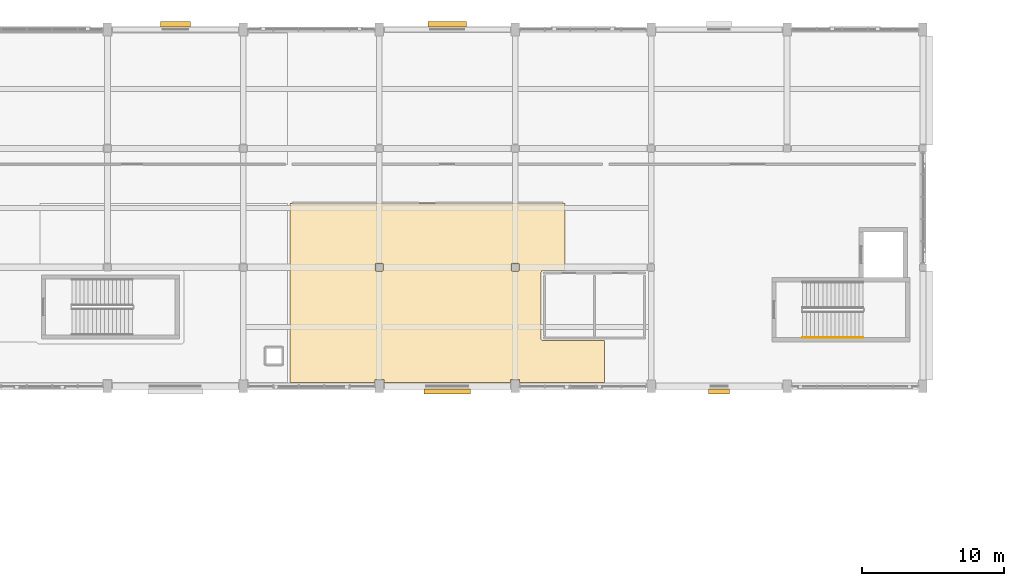
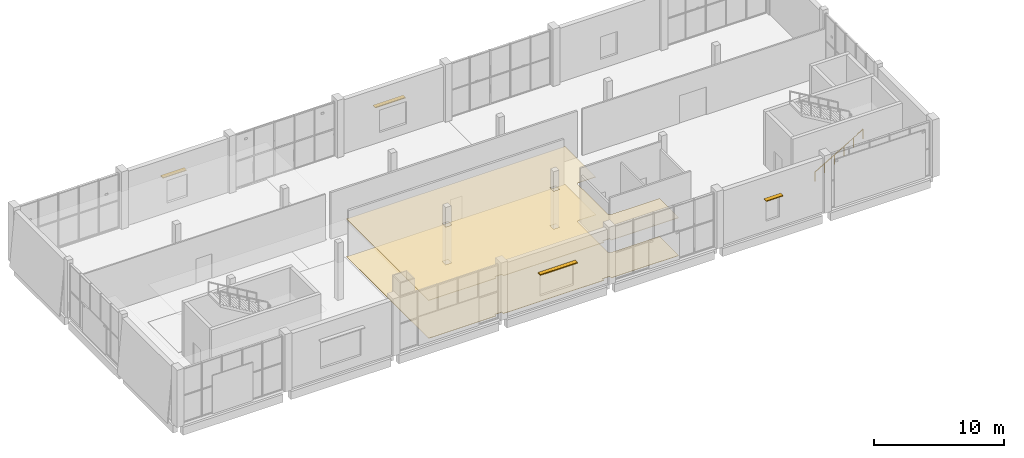
# One storey, part 77 of 83: 4 shading devices, 2 coverings, 1 railing.
"""IFC4 building model written with IfcOpenShell, lengths in metres."""

from ifc_helpers import new_model, si_unit, direction, frame, origin, origin_2d, place, context, subcontext, project, spatial, polyline, rectangle, circle, outline, extrude, material, layer, layer_set, type_object, element, save


model = new_model("IFC4")

# Units and contexts
model_context = context("Model", 3, precision=1e-05, world=origin(), true_north=direction((0.0, 1.0)))
body_context = subcontext(model_context, "Body", "Model", "MODEL_VIEW")
ifc_project = project(units=[si_unit("LENGTHUNIT", "METRE"), si_unit("AREAUNIT", "SQUARE_METRE"), si_unit("VOLUMEUNIT", "CUBIC_METRE"), si_unit("PLANEANGLEUNIT", "RADIAN"), si_unit("MASSUNIT", "GRAM", prefix="KILO")], contexts=[model_context])

# Site, building, storey
site_placement = place(None, origin())
site = spatial("IfcSite", under=ifc_project, at=site_placement, CompositionType="ELEMENT")
building_placement = place(site_placement, origin())
building = spatial("IfcBuilding", under=site, at=building_placement, Name="Shalvenor Court Art Gallery", CompositionType="ELEMENT")
storey_placement = place(building_placement, frame((0.0, 0.0, 6.0)))
storey = spatial("IfcBuildingStorey", under=building, at=storey_placement, Name="L01", CompositionType="ELEMENT", Elevation=6.0)

# Coverings
ifc_material_1 = material(Name="Perforated acoustic gypsum gallery ceiling", Category="other")
ifc_layer_1 = layer(ifc_material_1, 0.044921875, Name="Perforated acoustic gypsum gallery ceiling")
ifc_layer_set_1 = layer_set([ifc_layer_1], Name="Perforated acoustic gypsum gallery ceiling")
covering_type_1 = type_object("IfcCoveringType", Name="CLG-01", PredefinedType="CEILING", material=ifc_layer_set_1)
covering_1_placement = place(storey_placement, frame((0.0, 0.0, 3.550048828125)))
element("IfcCovering", 1, at=covering_1_placement, inside=storey, type_object=covering_type_1, Name="L01 Contemporary Canvas Gallery Acoustic Ceiling", PredefinedType="CEILING", context=body_context, shape_type="SweptSolid", body=[
    extrude(outline(polyline([(80.080078125, 110.1201171875), (99.52001953125, 110.1201171875), (99.52001953125, 105.3798828125), (98.0, 105.3798828125), (97.982421875, 105.379150390625), (97.96484375, 105.37646484375), (97.94775390625, 105.372314453125), (97.93115234375, 105.3662109375), (97.9150390625, 105.358642578125), (97.89990234375, 105.349609375), (97.8857421875, 105.339111328125), (97.872802734375, 105.327392578125), (97.86083984375, 105.314208984375), (97.850341796875, 105.300048828125), (97.84130859375, 105.284912109375), (97.833740234375, 105.268798828125), (97.827880859375, 105.252197265625), (97.823486328125, 105.235107421875), (97.82080078125, 105.217529296875), (97.820068359375, 105.199951171875), (97.820068359375, 100.60009765625), (97.82080078125, 100.58251953125), (97.823486328125, 100.56494140625), (97.827880859375, 100.547607421875), (97.833740234375, 100.531005859375), (97.84130859375, 100.51513671875), (97.850341796875, 100.5), (97.86083984375, 100.48583984375), (97.872802734375, 100.47265625), (97.8857421875, 100.4609375), (97.89990234375, 100.4501953125), (97.9150390625, 100.44140625), (97.93115234375, 100.43359375), (97.94775390625, 100.427734375), (97.96484375, 100.423583984375), (97.982421875, 100.4208984375), (98.0, 100.419921875), (102.320068359375, 100.419921875), (102.320068359375, 97.449951171875), (96.320068359375, 97.449951171875), (96.320068359375, 97.669921875), (95.679931640625, 97.669921875), (95.679931640625, 97.449951171875), (86.719970703125, 97.449951171875), (86.719970703125, 97.669921875), (86.080078125, 97.669921875), (86.080078125, 97.449951171875), (80.080078125, 97.449951171875), (80.080078125, 110.1201171875)]), holes=[polyline([(86.1298828125, 105.8701171875), (86.1298828125, 105.330078125), (86.669921875, 105.330078125), (86.669921875, 105.8701171875), (86.1298828125, 105.8701171875)]), polyline([(96.27001953125, 105.8701171875), (95.72998046875, 105.8701171875), (95.72998046875, 105.330078125), (96.27001953125, 105.330078125), (96.27001953125, 105.8701171875)])]), origin(), (0.0, 0.0, 1.0), 0.044921875),
])
ifc_material_2 = material(Name="Quarter-sawn white oak gallery flooring", Category="wood")
ifc_layer_2 = layer(ifc_material_2, 0.031982421875, Name="Quarter-sawn white oak gallery flooring")
ifc_layer_set_2 = layer_set([ifc_layer_2], Name="Quarter-sawn white oak gallery flooring")
covering_type_2 = type_object("IfcCoveringType", Name="FLR-02", PredefinedType="FLOORING", material=ifc_layer_set_2)
covering_2_placement = place(storey_placement, origin())
element("IfcCovering", 2, at=covering_2_placement, inside=storey, type_object=covering_type_2, Name="L01 Contemporary Canvas Gallery Flooring", PredefinedType="FLOORING", context=body_context, shape_type="SweptSolid", body=[
    extrude(outline(polyline([(80.080078125, 110.1201171875), (99.52001953125, 110.1201171875), (99.52001953125, 105.3798828125), (98.0, 105.3798828125), (97.982421875, 105.379150390625), (97.96484375, 105.37646484375), (97.94775390625, 105.372314453125), (97.93115234375, 105.3662109375), (97.9150390625, 105.358642578125), (97.89990234375, 105.349609375), (97.8857421875, 105.339111328125), (97.872802734375, 105.327392578125), (97.86083984375, 105.314208984375), (97.850341796875, 105.300048828125), (97.84130859375, 105.284912109375), (97.833740234375, 105.268798828125), (97.827880859375, 105.252197265625), (97.823486328125, 105.235107421875), (97.82080078125, 105.217529296875), (97.820068359375, 105.199951171875), (97.820068359375, 100.60009765625), (97.82080078125, 100.58251953125), (97.823486328125, 100.56494140625), (97.827880859375, 100.547607421875), (97.833740234375, 100.531005859375), (97.84130859375, 100.51513671875), (97.850341796875, 100.5), (97.86083984375, 100.48583984375), (97.872802734375, 100.47265625), (97.8857421875, 100.4609375), (97.89990234375, 100.4501953125), (97.9150390625, 100.44140625), (97.93115234375, 100.43359375), (97.94775390625, 100.427734375), (97.96484375, 100.423583984375), (97.982421875, 100.4208984375), (98.0, 100.419921875), (102.320068359375, 100.419921875), (102.320068359375, 97.449951171875), (96.320068359375, 97.449951171875), (96.320068359375, 97.669921875), (95.679931640625, 97.669921875), (95.679931640625, 97.449951171875), (86.719970703125, 97.449951171875), (86.719970703125, 97.669921875), (86.080078125, 97.669921875), (86.080078125, 97.449951171875), (80.080078125, 97.449951171875), (80.080078125, 110.1201171875)]), holes=[polyline([(86.1298828125, 105.8701171875), (86.1298828125, 105.330078125), (86.669921875, 105.330078125), (86.669921875, 105.8701171875), (86.1298828125, 105.8701171875)]), polyline([(96.27001953125, 105.8701171875), (95.72998046875, 105.8701171875), (95.72998046875, 105.330078125), (96.27001953125, 105.330078125), (96.27001953125, 105.8701171875)])]), origin(), (0.0, 0.0, 1.0), 0.031982421875),
])

# Railing
ifc_material_3 = material(Name="Brushed stainless steel handrail", Category="steel")
railing_type = type_object("IfcRailingType", Name="HR-01", PredefinedType="HANDRAIL", material=ifc_material_3)
railing_placement = place(storey_placement, frame((116.300048828125, 100.64990234375, 0.168701171875)))
element("IfcRailing", 3, at=railing_placement, inside=storey, type_object=railing_type, Name="L01 ST-05 Stair Handrail 1", PredefinedType="HANDRAIL", context=body_context, shape_type="SweptSolid", body=[
    extrude(circle(Radius=0.02392578125, at=origin_2d()), frame((0.0, 0.0, 0.8759765625), z_axis=(0.860470286479, 0.0, 0.509500624227), x_axis=(0.0, 1.0, 0.0)), (0.0, 0.0, 1.0), 4.968017578125),
    extrude(circle(Radius=0.02099609375, at=origin_2d()), origin(), (0.0, 0.0, 1.0), 0.851806640625),
    extrude(circle(Radius=0.02099609375, at=origin_2d()), frame((0.85498046875, 0.0, 0.50634765625)), (0.0, 0.0, 1.0), 0.851806640625),
    extrude(circle(Radius=0.02099609375, at=origin_2d()), frame((1.7099609375, 0.0, 1.012451171875)), (0.0, 0.0, 1.0), 0.851806640625),
    extrude(circle(Radius=0.02099609375, at=origin_2d()), frame((2.56494140625, 0.0, 1.518798828125)), (0.0, 0.0, 1.0), 0.851806640625),
    extrude(circle(Radius=0.02099609375, at=origin_2d()), frame((3.419921875, 0.0, 2.02490234375)), (0.0, 0.0, 1.0), 0.851806640625),
    extrude(circle(Radius=0.02099609375, at=origin_2d()), frame((4.27490234375, 0.0, 2.53125)), (0.0, 0.0, 1.0), 0.851806640625),
])

# Shading devices
ifc_material_4 = material(Name="Dark anodised bronze aluminium louvre", Category="aluminium")
shading_device_type = type_object("IfcShadingDeviceType", Name="SHD-01", PredefinedType="JALOUSIE", material=ifc_material_4)
shading_device_1_placement = place(storey_placement, frame((72.0, 122.77001953125, 3.0), z_axis=(0.0, 0.0, 1.0), x_axis=(1.0, 0.0, 0.0)))
element("IfcShadingDevice", 4, at=shading_device_1_placement, inside=storey, type_object=shading_device_type, Name="L01 Koushi Window Sunshade 27", PredefinedType="JALOUSIE", context=body_context, shape_type="SweptSolid", body=[
    extrude(rectangle(XDim=2.10009765625, YDim=0.360107421875, at=origin_2d()), origin(), (0.0, 0.0, 1.0), 0.080078125),
])
shading_device_2_placement = place(storey_placement, frame((91.199951171875, 122.77001953125, 3.0), z_axis=(0.0, 0.0, 1.0), x_axis=(1.0, 0.0, 0.0)))
element("IfcShadingDevice", 5, at=shading_device_2_placement, inside=storey, type_object=shading_device_type, Name="L01 Koushi Window Sunshade 28", PredefinedType="JALOUSIE", context=body_context, shape_type="SweptSolid", body=[
    extrude(rectangle(XDim=2.699951171875, YDim=0.360107421875, at=origin_2d()), origin(), (0.0, 0.0, 1.0), 0.080078125),
])
shading_device_3_placement = place(storey_placement, frame((110.39990234375, 96.830078125, 3.0), z_axis=(0.0, 0.0, 1.0), x_axis=(-1.0, 0.0, 0.0)))
element("IfcShadingDevice", 6, at=shading_device_3_placement, inside=storey, type_object=shading_device_type, Name="L01 Koushi Window Sunshade 30", PredefinedType="JALOUSIE", context=body_context, shape_type="SweptSolid", body=[
    extrude(rectangle(XDim=1.5, YDim=0.360107421875, at=origin_2d()), origin(), (0.0, 0.0, 1.0), 0.080078125),
])
shading_device_4_placement = place(storey_placement, frame((91.199951171875, 96.830078125, 3.099853515625), z_axis=(0.0, 0.0, 1.0), x_axis=(-1.0, 0.0, 0.0)))
element("IfcShadingDevice", 7, at=shading_device_4_placement, inside=storey, type_object=shading_device_type, Name="L01 Koushi Window Sunshade 31", PredefinedType="JALOUSIE", context=body_context, shape_type="SweptSolid", body=[
    extrude(rectangle(XDim=3.300048828125, YDim=0.360107421875, at=origin_2d()), origin(), (0.0, 0.0, 1.0), 0.080078125),
])

save(model, "model.ifc")
